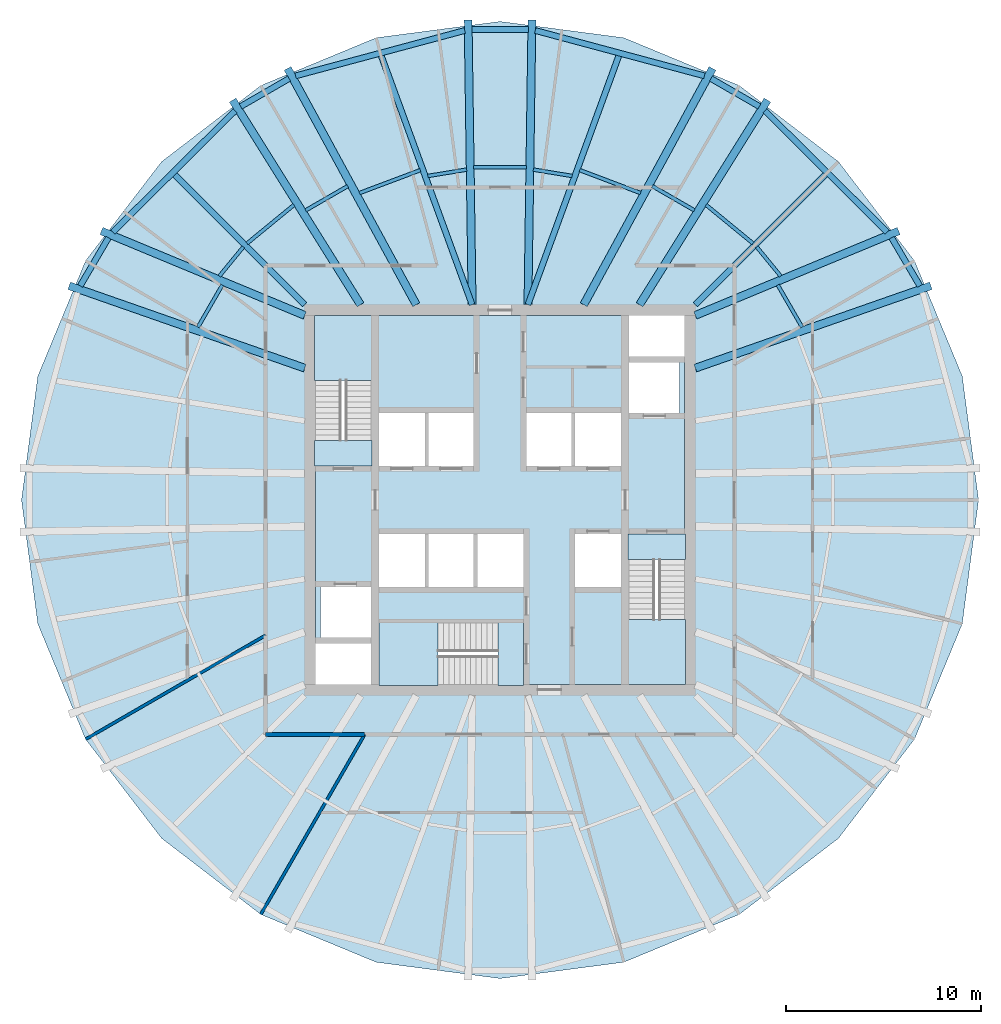
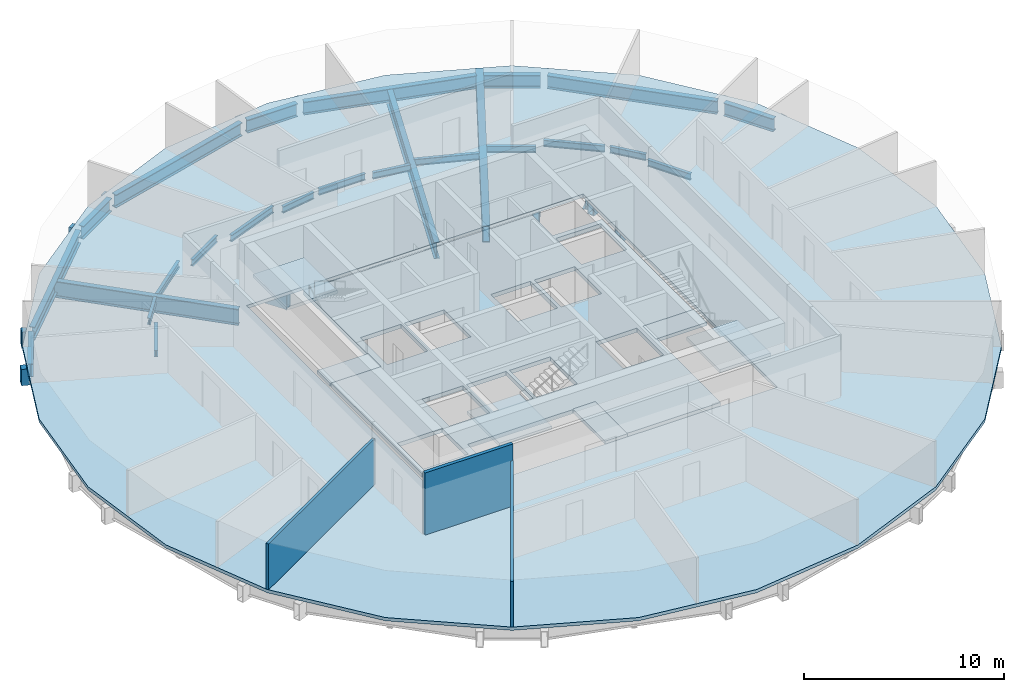
# One storey, part 2 of 6: 36 beams, 8 slabs, 3 walls, 3 elements without a shape of their own.
"""IFC4 building model written with IfcOpenShell, lengths in metres."""

import ifcopenshell
import ifcopenshell.guid

model = None  # the IFC model being written
_history = None  # IfcOwnerHistory: only IFC2X3 demands one
_inside = {}  # id of a spatial element -> (the spatial element, [elements in it])
_under = {}  # id of a project, library or spatial element -> (it, [spatial elements below it])
_declared = {}  # id of a project -> (the project, [libraries it declares])
_typed = {}  # id of a type object -> (the type object, [elements of that type])
_made_of = {}  # id of a material, layer set ... -> (it, [elements and type objects made of it])


def new_model(schema):
    """Start an empty IFC model of exactly this schema.

    Asked for "IFC4X3", IfcOpenShell would pick the latest addendum, in which some entities
    have other attributes; the version numbers below select the first issue.
    IFC2X3 requires an IfcOwnerHistory on every rooted entity: one is made here for all.
    """
    global model, _history
    if schema == "IFC4X3":
        model = ifcopenshell.file(schema_version=(4, 3, 0, 0))
    else:
        model = ifcopenshell.file(schema=schema)
    _inside.clear()
    _under.clear()
    _declared.clear()
    _typed.clear()
    _made_of.clear()
    _history = None
    if model.schema == "IFC2X3":
        org = make("IfcOrganization", Name="unknown")
        user = make(
            "IfcPersonAndOrganization",
            ThePerson=make("IfcPerson", FamilyName="unknown"),
            TheOrganization=org,
        )
        app = make(
            "IfcApplication",
            ApplicationDeveloper=org,
            Version="unknown",
            ApplicationFullName="unknown",
            ApplicationIdentifier="unknown",
        )
        _history = make(
            "IfcOwnerHistory",
            OwningUser=user,
            OwningApplication=app,
            ChangeAction="ADDED",
            CreationDate=0,
        )
    return model


def make(cls, **values):
    """One entity of the class cls with the attributes given. An attribute that is None is left unset."""
    return model.create_entity(
        cls, **{name: value for name, value in values.items() if value is not None}
    )


def rooted(cls, **values):
    """An entity with a GlobalId (a new one), such as an element, a storey or a relation."""
    return make(cls, GlobalId=ifcopenshell.guid.new(), OwnerHistory=_history, **values)


def si_unit(unit_type, name, prefix=None):
    """IfcSIUnit, for example si_unit("LENGTHUNIT", "METRE", prefix="MILLI")."""
    return make("IfcSIUnit", UnitType=unit_type, Prefix=prefix, Name=name)


def assignment(units):
    """IfcUnitAssignment: the units of a project."""
    return None if units is None else make("IfcUnitAssignment", Units=units)


def point(xyz):
    """IfcCartesianPoint."""
    return None if xyz is None else make("IfcCartesianPoint", Coordinates=xyz)


def direction(xyz):
    """IfcDirection."""
    return None if xyz is None else make("IfcDirection", DirectionRatios=xyz)


def frame(location, z_axis=None, x_axis=None):
    """IfcAxis2Placement3D, a coordinate frame: its origin and axes. An axis left out is left unset."""
    return make(
        "IfcAxis2Placement3D",
        Location=point(location),
        Axis=direction(z_axis),
        RefDirection=direction(x_axis),
    )


def frame_2d(location, x_axis=None):
    """IfcAxis2Placement2D, a coordinate frame in the plane: its origin and x axis."""
    return make(
        "IfcAxis2Placement2D", Location=point(location), RefDirection=direction(x_axis)
    )


def origin():
    """The frame at (0, 0, 0) with its axes left unset."""
    return frame((0.0, 0.0, 0.0))


def origin_2d():
    """The frame at (0, 0) in the plane with its x axis left unset."""
    return frame_2d((0.0, 0.0))


def place(relative_to, where):
    """IfcLocalPlacement: puts the frame where relative to a parent placement (None: the world)."""
    return make(
        "IfcLocalPlacement", PlacementRelTo=relative_to, RelativePlacement=where
    )


def context(
    kind, dimensions, precision=None, world=None, true_north=None, identifier=None
):
    """IfcGeometricRepresentationContext, for example the 3D "Model" context."""
    return make(
        "IfcGeometricRepresentationContext",
        ContextIdentifier=identifier,
        ContextType=kind,
        CoordinateSpaceDimension=dimensions,
        Precision=precision,
        WorldCoordinateSystem=world,
        TrueNorth=true_north,
    )


def subcontext(parent, identifier, kind, view, scale=None):
    """IfcGeometricRepresentationSubContext, for example "Body" below "Model"."""
    return make(
        "IfcGeometricRepresentationSubContext",
        ContextIdentifier=identifier,
        ContextType=kind,
        ParentContext=parent,
        TargetScale=scale,
        TargetView=view,
    )


def project(units=None, contexts=None):
    """IfcProject with its units and contexts."""
    return rooted(
        "IfcProject",
        Name="project",
        RepresentationContexts=contexts,
        UnitsInContext=assignment(units),
    )


def spatial(cls, under=None, at=None, **own):
    """A site, building, storey or space (cls), placed at a placement, below another one or the project."""
    s = rooted(cls, ObjectPlacement=at, **own)
    if under is not None:
        _under.setdefault(under.id(), (under, []))[1].append(s)
    return s


def polyline(points):
    """IfcPolyline through the points."""
    return make("IfcPolyline", Points=[point(p) for p in points])


def profile(cls, at=None, kind="AREA", **sizes):
    """A parametric profile (cls). Its sizes go by their IFC names, for example OverallWidth=200.0."""
    return make(cls, ProfileType=kind, Position=at, **sizes)


def rectangle(**sizes):
    """IfcRectangleProfileDef."""
    return profile("IfcRectangleProfileDef", **sizes)


def hollow_rectangle(**sizes):
    """IfcRectangleHollowProfileDef."""
    return profile("IfcRectangleHollowProfileDef", **sizes)


def i_section(**sizes):
    """IfcIShapeProfileDef."""
    return profile("IfcIShapeProfileDef", **sizes)


def outline(outer, holes=None, kind="AREA"):
    """IfcArbitraryClosedProfileDef: a profile drawn as a closed curve; with holes, ...WithVoids."""
    if holes is None:
        return make("IfcArbitraryClosedProfileDef", ProfileType=kind, OuterCurve=outer)
    return make(
        "IfcArbitraryProfileDefWithVoids",
        ProfileType=kind,
        OuterCurve=outer,
        InnerCurves=holes,
    )


def extrude(swept, where, along, depth):
    """IfcExtrudedAreaSolid: the profile swept, set in the frame where, extruded along a direction by depth."""
    return make(
        "IfcExtrudedAreaSolid",
        SweptArea=swept,
        Position=where,
        ExtrudedDirection=direction(along),
        Depth=depth,
    )


def shape(context_of_items, identifier, shape_type, items):
    """IfcShapeRepresentation: the items that make up one representation, for example the "Body"."""
    return make(
        "IfcShapeRepresentation",
        ContextOfItems=context_of_items,
        RepresentationIdentifier=identifier,
        RepresentationType=shape_type,
        Items=items,
    )


def material(Name=None, Category=None):
    """IfcMaterial."""
    return make("IfcMaterial", Name=Name, Category=Category)


def layer(
    of_material, thickness, ventilated=None, Name=None, Category=None, Priority=None
):
    """IfcMaterialLayer: one layer of a wall or slab, of a material (None: an air gap)."""
    return make(
        "IfcMaterialLayer",
        Material=of_material,
        LayerThickness=thickness,
        IsVentilated=ventilated,
        Name=Name,
        Category=Category,
        Priority=Priority,
    )


def layer_set(layers, Name=None):
    """IfcMaterialLayerSet."""
    return make("IfcMaterialLayerSet", MaterialLayers=layers, LayerSetName=Name)


def material_profile(
    of_material, cross_section, Name=None, Category=None, Priority=None
):
    """IfcMaterialProfile: a cross section and its material."""
    return make(
        "IfcMaterialProfile",
        Name=Name,
        Material=of_material,
        Profile=cross_section,
        Priority=Priority,
        Category=Category,
    )


def profile_set(profiles, Name=None, composite=None):
    """IfcMaterialProfileSet."""
    return make(
        "IfcMaterialProfileSet",
        Name=Name,
        MaterialProfiles=profiles,
        CompositeProfile=composite,
    )


def made_of(thing, what):
    """Note that an element or type object is made of a material, layer set ...; save() writes the relation."""
    if what is not None:
        _made_of.setdefault(what.id(), (what, []))[1].append(thing)
    return thing


def type_object(cls, material=None, **own):
    """A type object (cls), such as IfcWallType, which elements share."""
    return made_of(rooted(cls, **own), material)


def element(
    cls,
    number,
    at=None,
    inside=None,
    cuts=None,
    type_object=None,
    material=None,
    context=None,
    identifier="Body",
    shape_type=None,
    held_by="IfcProductDefinitionShape",
    body=None,
    shapes=None,
    **own,
):
    """One element of the class cls, such as IfcWall. Its Tag is "e" and its number.

    at: its placement. inside: the storey or other place that contains it. cuts: it is an
    opening in that element (IfcRelVoidsElement). A single representation is given by context,
    identifier, shape_type and body (its items); several are given by shapes. held_by: the class
    of the entity that holds the representations. save() writes the other relations.
    """
    e = rooted(cls, Tag="e%d" % number, ObjectPlacement=at, **own)
    if body is not None:
        shapes = [shape(context, identifier, shape_type, body)]
    if shapes is not None:
        e.Representation = make(held_by, Representations=shapes)
    if inside is not None:
        _inside.setdefault(inside.id(), (inside, []))[1].append(e)
    if cuts is not None:
        rooted(
            "IfcRelVoidsElement", RelatingBuildingElement=cuts, RelatedOpeningElement=e
        )
    if type_object is not None:
        _typed.setdefault(type_object.id(), (type_object, []))[1].append(e)
    return made_of(e, material)


def aggregate(whole, parts):
    """IfcRelAggregates: a whole, such as a stair, and the parts it consists of."""
    return rooted("IfcRelAggregates", RelatingObject=whole, RelatedObjects=parts)


def save(model, path):
    """Write the relations noted so far, then the file.

    IfcRelAggregates (storeys below a building ...), IfcRelContainedInSpatialStructure (elements
    in a storey), IfcRelDefinesByType, IfcRelAssociatesMaterial and IfcRelDeclares: one each for
    every whole, place, type object, material and project.
    """
    for whole, parts in _under.values():
        aggregate(whole, parts)
    for where, things in _inside.values():
        rooted(
            "IfcRelContainedInSpatialStructure",
            RelatedElements=things,
            RelatingStructure=where,
        )
    for kind, things in _typed.values():
        rooted("IfcRelDefinesByType", RelatedObjects=things, RelatingType=kind)
    for what, things in _made_of.values():
        rooted("IfcRelAssociatesMaterial", RelatedObjects=things, RelatingMaterial=what)
    for by, libraries in _declared.values():
        rooted("IfcRelDeclares", RelatingContext=by, RelatedDefinitions=libraries)
    model.write(path)


model = new_model("IFC4")

# Units and contexts
model_context = context("Model", 3, precision=1e-05, world=origin(), true_north=direction((0.0, 1.0)))
body_context = subcontext(model_context, "Body", "Model", "MODEL_VIEW")
ifc_project = project(units=[si_unit("LENGTHUNIT", "METRE"), si_unit("AREAUNIT", "SQUARE_METRE"), si_unit("VOLUMEUNIT", "CUBIC_METRE"), si_unit("PLANEANGLEUNIT", "RADIAN"), si_unit("MASSUNIT", "GRAM", prefix="KILO")], contexts=[model_context])

# Site, building, storey
site_placement = place(None, origin())
site = spatial("IfcSite", under=ifc_project, at=site_placement, CompositionType="ELEMENT")
building_placement = place(site_placement, origin())
building = spatial("IfcBuilding", under=site, at=building_placement, Name="Golbaran Civic Tower", CompositionType="ELEMENT")
storey_placement = place(building_placement, frame((0.0, 0.0, 114.0)))
storey = spatial("IfcBuildingStorey", under=building, at=storey_placement, Name="L27", CompositionType="ELEMENT", Elevation=114.0)

# Beams
ifc_material_1 = material(Name="Steel S355", Category="steel")
ifc_material_profile_1 = material_profile(ifc_material_1, i_section(OverallWidth=0.300048828125, OverallDepth=0.800048828125, WebThickness=0.017578125, FlangeThickness=0.032958984375, FilletRadius=0.030029296875, at=origin_2d()), Name="HEB 800")
ifc_profile_set_1 = profile_set([ifc_material_profile_1], Name="Steel S355")
beam_type_1 = type_object("IfcBeamType", Name="EDGE BEAM HEB 800", PredefinedType="BEAM", material=ifc_profile_set_1)
beam_1_placement = place(storey_placement, frame((21.492919921875, 10.96044921875, -0.60009765625), z_axis=(-0.506247507241, 0.862388231258, 0.0), x_axis=(-0.862388231258, -0.506247507241, 0.0)))
element("IfcBeam", 1, at=beam_1_placement, inside=storey, type_object=beam_type_1, Name="Edge beam 26.27 L27", PredefinedType="BEAM", context=body_context, shape_type="SweptSolid", body=[
    extrude(i_section(OverallWidth=0.300048828125, OverallDepth=0.800048828125, WebThickness=0.017578125, FlangeThickness=0.032958984375, FilletRadius=0.030029296875, at=origin_2d()), origin(), (0.0, 0.0, 1.0), 2.859375),
])
beam_2_placement = place(storey_placement, frame((19.81494140625, 13.72021484375, -0.60009765625), z_axis=(-0.709776097781, 0.704427349709, 0.0), x_axis=(-0.704427349709, -0.709776097781, 0.0)))
element("IfcBeam", 2, at=beam_2_placement, inside=storey, type_object=beam_type_1, Name="Edge beam 33.73 L27", PredefinedType="BEAM", context=body_context, shape_type="SweptSolid", body=[
    extrude(i_section(OverallWidth=0.300048828125, OverallDepth=0.800048828125, WebThickness=0.017578125, FlangeThickness=0.032958984375, FilletRadius=0.030029296875, at=origin_2d()), origin(), (0.0, 0.0, 1.0), 8.809326171875),
])
beam_3_placement = place(storey_placement, frame((13.275146484375, 20.145751953125, -0.60009765625), z_axis=(-0.866138668345, 0.49980376869, 0.0), x_axis=(-0.49980376869, -0.866138668345, 0.0)))
element("IfcBeam", 3, at=beam_3_placement, inside=storey, type_object=beam_type_1, Name="Edge beam 56.27 L27", PredefinedType="BEAM", context=body_context, shape_type="SweptSolid", body=[
    extrude(i_section(OverallWidth=0.300048828125, OverallDepth=0.800048828125, WebThickness=0.017578125, FlangeThickness=0.032958984375, FilletRadius=0.030029296875, at=origin_2d()), origin(), (0.0, 0.0, 1.0), 2.859130859375),
])
beam_4_placement = place(storey_placement, frame((10.4638671875, 21.712646484375, -0.60009765625), z_axis=(-0.965864614041, 0.259047384359, 0.0), x_axis=(-0.259047384359, -0.965864614041, 0.0)))
element("IfcBeam", 4, at=beam_4_placement, inside=storey, type_object=beam_type_1, Name="Edge beam 63.73 L27", PredefinedType="BEAM", context=body_context, shape_type="SweptSolid", body=[
    extrude(i_section(OverallWidth=0.300048828125, OverallDepth=0.800048828125, WebThickness=0.017578125, FlangeThickness=0.032958984375, FilletRadius=0.030029296875, at=origin_2d()), origin(), (0.0, 0.0, 1.0), 8.963623046875),
])
beam_5_placement = place(storey_placement, frame((1.44677734375, 24.082763671875, -0.60009765625), z_axis=(-1.0, 0.0, 0.0), x_axis=(0.0, -1.0, 0.0)))
element("IfcBeam", 5, at=beam_5_placement, inside=storey, type_object=beam_type_1, Name="Edge beam 86.27 L27", PredefinedType="BEAM", context=body_context, shape_type="SweptSolid", body=[
    extrude(i_section(OverallWidth=0.300048828125, OverallDepth=0.800048828125, WebThickness=0.017578125, FlangeThickness=0.032958984375, FilletRadius=0.030029296875, at=origin_2d()), origin(), (0.0, 0.0, 1.0), 2.8935546875),
])
beam_6_placement = place(storey_placement, frame((-1.80615234375, 24.03466796875, -0.60009765625), z_axis=(-0.965864614041, -0.259047384359, 0.0), x_axis=(0.259047384359, -0.965864614041, 0.0)))
element("IfcBeam", 6, at=beam_6_placement, inside=storey, type_object=beam_type_1, Name="Edge beam 93.73 L27", PredefinedType="BEAM", context=body_context, shape_type="SweptSolid", body=[
    extrude(i_section(OverallWidth=0.300048828125, OverallDepth=0.800048828125, WebThickness=0.017578125, FlangeThickness=0.032958984375, FilletRadius=0.030029296875, at=origin_2d()), origin(), (0.0, 0.0, 1.0), 8.963623046875),
])
beam_7_placement = place(storey_placement, frame((-10.798828125, 21.57470703125, -0.60009765625), z_axis=(-0.866138668345, -0.49980376869, 0.0), x_axis=(0.49980376869, -0.866138668345, 0.0)))
element("IfcBeam", 7, at=beam_7_placement, inside=storey, type_object=beam_type_1, Name="Edge beam 116.27 L27", PredefinedType="BEAM", context=body_context, shape_type="SweptSolid", body=[
    extrude(i_section(OverallWidth=0.300048828125, OverallDepth=0.800048828125, WebThickness=0.017578125, FlangeThickness=0.032958984375, FilletRadius=0.030029296875, at=origin_2d()), origin(), (0.0, 0.0, 1.0), 2.859130859375),
])
beam_8_placement = place(storey_placement, frame((-13.562255859375, 19.92578125, -0.60009765625), z_axis=(-0.709776097781, -0.704427349709, 0.0), x_axis=(0.704427349709, -0.709776097781, 0.0)))
element("IfcBeam", 8, at=beam_8_placement, inside=storey, type_object=beam_type_1, Name="Edge beam 123.73 L27", PredefinedType="BEAM", context=body_context, shape_type="SweptSolid", body=[
    extrude(i_section(OverallWidth=0.300048828125, OverallDepth=0.800048828125, WebThickness=0.017578125, FlangeThickness=0.032958984375, FilletRadius=0.030029296875, at=origin_2d()), origin(), (0.0, 0.0, 1.0), 8.809326171875),
])
beam_9_placement = place(storey_placement, frame((-20.04541015625, 13.42626953125, -0.60009765625), z_axis=(-0.506247507241, -0.862388231258, 0.0), x_axis=(0.862388231258, -0.506247507241, 0.0)))
element("IfcBeam", 9, at=beam_9_placement, inside=storey, type_object=beam_type_1, Name="Edge beam 146.27 L27", PredefinedType="BEAM", context=body_context, shape_type="SweptSolid", body=[
    extrude(i_section(OverallWidth=0.300048828125, OverallDepth=0.800048828125, WebThickness=0.017578125, FlangeThickness=0.032958984375, FilletRadius=0.030029296875, at=origin_2d()), origin(), (0.0, 0.0, 1.0), 2.859375),
])
ifc_material_profile_2 = material_profile(ifc_material_1, i_section(OverallWidth=0.179931640625, OverallDepth=0.39990234375, WebThickness=0.008544921875, FlangeThickness=0.013427734375, FilletRadius=0.02099609375, at=origin_2d()), Name="IPE 400")
ifc_profile_set_2 = profile_set([ifc_material_profile_2], Name="Steel S355")
beam_type_2 = type_object("IfcBeamType", Name="FLOOR INFILL BEAM IPE 400", PredefinedType="BEAM", material=ifc_profile_set_2)
beam_10_placement = place(storey_placement, frame((15.461669921875, 8.850830078125, -0.39990234375), z_axis=(-0.499968694491, 0.866043477274, 0.0), x_axis=(-0.866043477274, -0.499968694491, 0.0)))
element("IfcBeam", 10, at=beam_10_placement, inside=storey, type_object=beam_type_2, Name="Infill beam 30.00 L27", PredefinedType="BEAM", context=body_context, shape_type="SweptSolid", body=[
    extrude(i_section(OverallWidth=0.179931640625, OverallDepth=0.39990234375, WebThickness=0.008544921875, FlangeThickness=0.013427734375, FilletRadius=0.02099609375, at=origin_2d()), origin(), (0.0, 0.0, 1.0), 2.489013671875),
])
beam_11_placement = place(storey_placement, frame((14.36962890625, 11.459228515625, -0.39990234375), z_axis=(-0.634252882111, 0.773125657014, 0.0), x_axis=(-0.773125657014, -0.634252882111, 0.0)))
element("IfcBeam", 11, at=beam_11_placement, inside=storey, type_object=beam_type_2, Name="Infill beam 39.37 L27", PredefinedType="BEAM", context=body_context, shape_type="SweptSolid", body=[
    extrude(i_section(OverallWidth=0.179931640625, OverallDepth=0.39990234375, WebThickness=0.008544921875, FlangeThickness=0.013427734375, FilletRadius=0.02099609375, at=origin_2d()), origin(), (0.0, 0.0, 1.0), 1.937255859375),
])
beam_12_placement = place(storey_placement, frame((12.95068359375, 13.134521484375, -0.39990234375), z_axis=(-0.773099052003, 0.634285311033, 0.0), x_axis=(-0.634285311033, -0.773099052003, 0.0)))
element("IfcBeam", 12, at=beam_12_placement, inside=storey, type_object=beam_type_2, Name="Infill beam 50.63 L27", PredefinedType="BEAM", context=body_context, shape_type="SweptSolid", body=[
    extrude(i_section(OverallWidth=0.179931640625, OverallDepth=0.39990234375, WebThickness=0.008544921875, FlangeThickness=0.013427734375, FilletRadius=0.02099609375, at=origin_2d()), origin(), (0.0, 0.0, 1.0), 3.107666015625),
])
beam_13_placement = place(storey_placement, frame((9.94921875, 14.827392578125, -0.39990234375), z_axis=(-0.866044807862, 0.499966389646, 0.0), x_axis=(-0.499966389646, -0.866044807862, 0.0)))
element("IfcBeam", 13, at=beam_13_placement, inside=storey, type_object=beam_type_2, Name="Infill beam 60.00 L27", PredefinedType="BEAM", context=body_context, shape_type="SweptSolid", body=[
    extrude(i_section(OverallWidth=0.179931640625, OverallDepth=0.39990234375, WebThickness=0.008544921875, FlangeThickness=0.013427734375, FilletRadius=0.02099609375, at=origin_2d()), origin(), (0.0, 0.0, 1.0), 2.483642578125),
])
beam_14_placement = place(storey_placement, frame((7.194580078125, 15.713623046875, -0.39990234375), z_axis=(-0.935854854425, 0.352385714024, 0.0), x_axis=(-0.352385714024, -0.935854854425, 0.0)))
element("IfcBeam", 14, at=beam_14_placement, inside=storey, type_object=beam_type_2, Name="Infill beam 69.37 L27", PredefinedType="BEAM", context=body_context, shape_type="SweptSolid", body=[
    extrude(i_section(OverallWidth=0.179931640625, OverallDepth=0.39990234375, WebThickness=0.008544921875, FlangeThickness=0.013427734375, FilletRadius=0.02099609375, at=origin_2d()), origin(), (0.0, 0.0, 1.0), 3.326904296875),
])
beam_15_placement = place(storey_placement, frame((3.69482421875, 16.586181640625, -0.39990234375), z_axis=(-0.986661041804, 0.162788170904, 0.0), x_axis=(-0.162788170904, -0.986661041804, 0.0)))
element("IfcBeam", 15, at=beam_15_placement, inside=storey, type_object=beam_type_2, Name="Infill beam 80.63 L27", PredefinedType="BEAM", context=body_context, shape_type="SweptSolid", body=[
    extrude(i_section(OverallWidth=0.179931640625, OverallDepth=0.39990234375, WebThickness=0.008544921875, FlangeThickness=0.013427734375, FilletRadius=0.02099609375, at=origin_2d()), origin(), (0.0, 0.0, 1.0), 2.015625),
])
beam_16_placement = place(storey_placement, frame((1.34765625, 17.04150390625, -0.39990234375), z_axis=(-1.0, 0.0, 0.0), x_axis=(0.0, -1.0, 0.0)))
element("IfcBeam", 16, at=beam_16_placement, inside=storey, type_object=beam_type_2, Name="Infill beam 90.00 L27", PredefinedType="BEAM", context=body_context, shape_type="SweptSolid", body=[
    extrude(i_section(OverallWidth=0.179931640625, OverallDepth=0.39990234375, WebThickness=0.008544921875, FlangeThickness=0.013427734375, FilletRadius=0.02099609375, at=origin_2d()), origin(), (0.0, 0.0, 1.0), 2.6953125),
])
beam_17_placement = place(storey_placement, frame((-1.7060546875, 16.914306640625, -0.39990234375), z_axis=(-0.986661041804, -0.162788170904, 0.0), x_axis=(0.162788170904, -0.986661041804, 0.0)))
element("IfcBeam", 17, at=beam_17_placement, inside=storey, type_object=beam_type_2, Name="Infill beam 99.37 L27", PredefinedType="BEAM", context=body_context, shape_type="SweptSolid", body=[
    extrude(i_section(OverallWidth=0.179931640625, OverallDepth=0.39990234375, WebThickness=0.008544921875, FlangeThickness=0.013427734375, FilletRadius=0.02099609375, at=origin_2d()), origin(), (0.0, 0.0, 1.0), 2.015625),
])
beam_18_placement = place(storey_placement, frame((-4.0810546875, 16.885986328125, -0.39990234375), z_axis=(-0.935854854425, -0.352385714024, 0.0), x_axis=(0.352385714024, -0.935854854425, 0.0)))
element("IfcBeam", 18, at=beam_18_placement, inside=storey, type_object=beam_type_2, Name="Infill beam 110.63 L27", PredefinedType="BEAM", context=body_context, shape_type="SweptSolid", body=[
    extrude(i_section(OverallWidth=0.179931640625, OverallDepth=0.39990234375, WebThickness=0.008544921875, FlangeThickness=0.013427734375, FilletRadius=0.02099609375, at=origin_2d()), origin(), (0.0, 0.0, 1.0), 3.326904296875),
])
beam_19_placement = place(storey_placement, frame((-7.79833984375, 16.069091796875, -0.39990234375), z_axis=(-0.866044807862, -0.499966389646, 0.0), x_axis=(0.499966389646, -0.866044807862, 0.0)))
element("IfcBeam", 19, at=beam_19_placement, inside=storey, type_object=beam_type_2, Name="Infill beam 120.00 L27", PredefinedType="BEAM", context=body_context, shape_type="SweptSolid", body=[
    extrude(i_section(OverallWidth=0.179931640625, OverallDepth=0.39990234375, WebThickness=0.008544921875, FlangeThickness=0.013427734375, FilletRadius=0.02099609375, at=origin_2d()), origin(), (0.0, 0.0, 1.0), 2.483642578125),
])
beam_20_placement = place(storey_placement, frame((-10.548095703125, 15.105712890625, -0.39990234375), z_axis=(-0.773099052003, -0.634285311033, 0.0), x_axis=(0.634285311033, -0.773099052003, 0.0)))
element("IfcBeam", 20, at=beam_20_placement, inside=storey, type_object=beam_type_2, Name="Infill beam 129.37 L27", PredefinedType="BEAM", context=body_context, shape_type="SweptSolid", body=[
    extrude(i_section(OverallWidth=0.179931640625, OverallDepth=0.39990234375, WebThickness=0.008544921875, FlangeThickness=0.013427734375, FilletRadius=0.02099609375, at=origin_2d()), origin(), (0.0, 0.0, 1.0), 3.107666015625),
])
beam_21_placement = place(storey_placement, frame((-13.140869140625, 12.95703125, -0.39990234375), z_axis=(-0.634252882111, -0.773125657014, 0.0), x_axis=(0.773125657014, -0.634252882111, 0.0)))
element("IfcBeam", 21, at=beam_21_placement, inside=storey, type_object=beam_type_2, Name="Infill beam 140.63 L27", PredefinedType="BEAM", context=body_context, shape_type="SweptSolid", body=[
    extrude(i_section(OverallWidth=0.179931640625, OverallDepth=0.39990234375, WebThickness=0.008544921875, FlangeThickness=0.013427734375, FilletRadius=0.02099609375, at=origin_2d()), origin(), (0.0, 0.0, 1.0), 1.937255859375),
])
beam_22_placement = place(storey_placement, frame((-14.21728515625, 11.00634765625, -0.39990234375), z_axis=(-0.499968694491, -0.866043477274, 0.0), x_axis=(0.866043477274, -0.499968694491, 0.0)))
element("IfcBeam", 22, at=beam_22_placement, inside=storey, type_object=beam_type_2, Name="Infill beam 150.00 L27", PredefinedType="BEAM", context=body_context, shape_type="SweptSolid", body=[
    extrude(i_section(OverallWidth=0.179931640625, OverallDepth=0.39990234375, WebThickness=0.008544921875, FlangeThickness=0.013427734375, FilletRadius=0.02099609375, at=origin_2d()), origin(), (0.0, 0.0, 1.0), 2.489013671875),
])
ifc_material_profile_3 = material_profile(ifc_material_1, hollow_rectangle(XDim=0.39990234375, YDim=1.0, WallThickness=0.0400390625, at=origin_2d()), Name="BOX 1000x400x40")
ifc_profile_set_3 = profile_set([ifc_material_profile_3], Name="Steel S355")
beam_type_3 = type_object("IfcBeamType", Name="RADIAL FLOOR BEAM BOX 1000x400x40", PredefinedType="BEAM", material=ifc_profile_set_3)
beam_23_placement = place(storey_placement, frame((10.0, 6.75, -0.7099609375), z_axis=(0.943931648294, 0.330140944672, 0.0), x_axis=(-0.330140944672, 0.943931648294, 0.0)))
element("IfcBeam", 23, at=beam_23_placement, inside=storey, type_object=beam_type_3, Name="Radial beam 26.27 L27", PredefinedType="BEAM", context=body_context, shape_type="SweptSolid", body=[
    extrude(hollow_rectangle(XDim=0.39990234375, YDim=1.0, WallThickness=0.0400390625, at=origin_2d()), origin(), (0.0, 0.0, 1.0), 12.771240234375),
])
beam_24_placement = place(storey_placement, frame((10.0, 9.449951171875, -0.7099609375), z_axis=(0.9235454798, 0.383488913452, 0.0), x_axis=(-0.383488913452, 0.9235454798, 0.0)))
element("IfcBeam", 24, at=beam_24_placement, inside=storey, type_object=beam_type_3, Name="Radial beam 33.73 L27", PredefinedType="BEAM", context=body_context, shape_type="SweptSolid", body=[
    extrude(hollow_rectangle(XDim=0.39990234375, YDim=1.0, WallThickness=0.0400390625, at=origin_2d()), origin(), (0.0, 0.0, 1.0), 11.267822265625),
])
beam_25_placement = place(storey_placement, frame((7.142822265625, 10.0, -0.7099609375), z_axis=(0.53021220472, 0.847864976259, 0.0), x_axis=(-0.847864976259, 0.53021220472, 0.0)))
element("IfcBeam", 25, at=beam_25_placement, inside=storey, type_object=beam_type_3, Name="Radial beam 56.27 L27", PredefinedType="BEAM", context=body_context, shape_type="SweptSolid", body=[
    extrude(hollow_rectangle(XDim=0.39990234375, YDim=1.0, WallThickness=0.0400390625, at=origin_2d()), origin(), (0.0, 0.0, 1.0), 12.34716796875),
])
beam_26_placement = place(storey_placement, frame((4.28564453125, 10.0, -0.7099609375), z_axis=(0.478532881455, 0.878069633552, 0.0), x_axis=(-0.878069633552, 0.478532881455, 0.0)))
element("IfcBeam", 26, at=beam_26_placement, inside=storey, type_object=beam_type_3, Name="Radial beam 63.73 L27", PredefinedType="BEAM", context=body_context, shape_type="SweptSolid", body=[
    extrude(hollow_rectangle(XDim=0.39990234375, YDim=1.0, WallThickness=0.0400390625, at=origin_2d()), origin(), (0.0, 0.0, 1.0), 13.771484375),
])
for number, where, z_axis, x_axis, name in (
    (27, (1.428466796875, 10.0, -0.7099609375), (0.014091132285, 0.999900715067, 0.0), (-0.999900715067, 0.014091132285, 0.0), "Radial beam 86.27 L27"),
    (28, (-1.428466796875, 10.0, -0.7099609375), (-0.014091132285, 0.999900715067, 0.0), (-0.999900715067, -0.014091132285, 0.0), "Radial beam 93.73 L27"),
):
    element("IfcBeam", number, at=place(storey_placement, frame(where, z_axis=z_axis, x_axis=x_axis)), inside=storey, type_object=beam_type_3, Name=name, PredefinedType="BEAM", context=body_context, shape_type="SweptSolid", body=[
        extrude(hollow_rectangle(XDim=0.39990234375, YDim=1.0, WallThickness=0.0400390625, at=origin_2d()), origin(), (0.0, 0.0, 1.0), 14.571044921875),
    ])
beam_27_placement = place(storey_placement, frame((-4.28564453125, 10.0, -0.7099609375), z_axis=(-0.478532881455, 0.878069633552, 0.0), x_axis=(-0.878069633552, -0.478532881455, 0.0)))
element("IfcBeam", 29, at=beam_27_placement, inside=storey, type_object=beam_type_3, Name="Radial beam 116.27 L27", PredefinedType="BEAM", context=body_context, shape_type="SweptSolid", body=[
    extrude(hollow_rectangle(XDim=0.39990234375, YDim=1.0, WallThickness=0.0400390625, at=origin_2d()), origin(), (0.0, 0.0, 1.0), 13.771484375),
])
beam_28_placement = place(storey_placement, frame((-7.142822265625, 10.0, -0.7099609375), z_axis=(-0.53021220472, 0.847864976259, 0.0), x_axis=(-0.847864976259, -0.53021220472, 0.0)))
element("IfcBeam", 30, at=beam_28_placement, inside=storey, type_object=beam_type_3, Name="Radial beam 123.73 L27", PredefinedType="BEAM", context=body_context, shape_type="SweptSolid", body=[
    extrude(hollow_rectangle(XDim=0.39990234375, YDim=1.0, WallThickness=0.0400390625, at=origin_2d()), origin(), (0.0, 0.0, 1.0), 12.34716796875),
])
beam_29_placement = place(storey_placement, frame((-10.0, 9.449951171875, -0.7099609375), z_axis=(-0.9235454798, 0.383488913452, 0.0), x_axis=(-0.383488913452, -0.9235454798, 0.0)))
element("IfcBeam", 31, at=beam_29_placement, inside=storey, type_object=beam_type_3, Name="Radial beam 146.27 L27", PredefinedType="BEAM", context=body_context, shape_type="SweptSolid", body=[
    extrude(hollow_rectangle(XDim=0.39990234375, YDim=1.0, WallThickness=0.0400390625, at=origin_2d()), origin(), (0.0, 0.0, 1.0), 11.267822265625),
])
beam_30_placement = place(storey_placement, frame((-10.0, 6.75, -0.7099609375), z_axis=(-0.943931648294, 0.330140944672, 0.0), x_axis=(-0.330140944672, -0.943931648294, 0.0)))
element("IfcBeam", 32, at=beam_30_placement, inside=storey, type_object=beam_type_3, Name="Radial beam 153.73 L27", PredefinedType="BEAM", context=body_context, shape_type="SweptSolid", body=[
    extrude(hollow_rectangle(XDim=0.39990234375, YDim=1.0, WallThickness=0.0400390625, at=origin_2d()), origin(), (0.0, 0.0, 1.0), 12.771240234375),
])
ifc_material_profile_4 = material_profile(ifc_material_1, i_section(OverallWidth=0.300048828125, OverallDepth=1.0, WebThickness=0.01904296875, FlangeThickness=0.035888671875, FilletRadius=0.030029296875, at=origin_2d()), Name="HEB 1000")
ifc_profile_set_4 = profile_set([ifc_material_profile_4], Name="Steel S355")
beam_type_4 = type_object("IfcBeamType", Name="SECONDARY FLOOR BEAM HEB 1000", PredefinedType="BEAM", material=ifc_profile_set_4)
beam_31_placement = place(storey_placement, frame((10.0, 10.0, -0.7099609375), z_axis=(0.707106781187, 0.707106781187, 0.0), x_axis=(-0.707106781187, 0.707106781187, 0.0)))
element("IfcBeam", 33, at=beam_31_placement, inside=storey, type_object=beam_type_4, Name="Secondary beam 45.00 L27", PredefinedType="BEAM", context=body_context, shape_type="SweptSolid", body=[
    extrude(i_section(OverallWidth=0.300048828125, OverallDepth=1.0, WebThickness=0.01904296875, FlangeThickness=0.035888671875, FilletRadius=0.030029296875, at=origin_2d()), origin(), (0.0, 0.0, 1.0), 9.5546875),
])
for number, where, z_axis, x_axis, name in (
    (34, (1.428466796875, 10.0, -0.7099609375), (0.342968414201, 0.939346936366, 0.0), (-0.939346936366, 0.342968414201, 0.0), "Secondary beam 75.00 L27"),
    (35, (-1.428466796875, 10.0, -0.7099609375), (-0.342968414201, 0.939346936366, 0.0), (-0.939346936366, -0.342968414201, 0.0), "Secondary beam 105.00 L27"),
):
    element("IfcBeam", number, at=place(storey_placement, frame(where, z_axis=z_axis, x_axis=x_axis)), inside=storey, type_object=beam_type_4, Name=name, PredefinedType="BEAM", context=body_context, shape_type="SweptSolid", body=[
        extrude(i_section(OverallWidth=0.300048828125, OverallDepth=1.0, WebThickness=0.01904296875, FlangeThickness=0.035888671875, FilletRadius=0.030029296875, at=origin_2d()), origin(), (0.0, 0.0, 1.0), 13.70654296875),
    ])
beam_32_placement = place(storey_placement, frame((-10.0, 10.0, -0.7099609375), z_axis=(-0.707106781187, 0.707106781187, 0.0), x_axis=(-0.707106781187, -0.707106781187, 0.0)))
element("IfcBeam", 36, at=beam_32_placement, inside=storey, type_object=beam_type_4, Name="Secondary beam 135.00 L27", PredefinedType="BEAM", context=body_context, shape_type="SweptSolid", body=[
    extrude(i_section(OverallWidth=0.300048828125, OverallDepth=1.0, WebThickness=0.01904296875, FlangeThickness=0.035888671875, FilletRadius=0.030029296875, at=origin_2d()), origin(), (0.0, 0.0, 1.0), 9.5546875),
])

# Slabs
ifc_material_2 = material(Name="Concrete LC30/33 lightweight on steel deck", Category="concrete")
ifc_layer_1 = layer(ifc_material_2, 0.199951171875, Name="Concrete LC30/33 lightweight on steel deck")
ifc_layer_set_1 = layer_set([ifc_layer_1], Name="Concrete LC30/33 lightweight on steel deck")
slab_type_1 = type_object("IfcSlabType", Name="COMPOSITE FLOOR SLAB 200", PredefinedType="FLOOR", material=ifc_layer_set_1)
slab_1_placement = place(storey_placement, frame((0.0, 0.0, -0.199951171875)))
element("IfcSlab", 37, at=slab_1_placement, inside=storey, type_object=slab_type_1, Name="Floor slab L27", PredefinedType="FLOOR", context=body_context, shape_type="SweptSolid", body=[
    extrude(outline(polyline([(21.21533203125, -12.24853515625), (17.322265625, -17.322265625), (12.24853515625, -21.21533203125), (6.34033203125, -23.66259765625), (0.0, -24.497314453125), (-6.34033203125, -23.66259765625), (-12.24853515625, -21.21533203125), (-17.322265625, -17.322265625), (-21.21533203125, -12.24853515625), (-23.66259765625, -6.34033203125), (-24.497314453125, 0.0), (-23.66259765625, 6.34033203125), (-21.21533203125, 12.24853515625), (-17.322265625, 17.322265625), (-12.24853515625, 21.21533203125), (-6.34033203125, 23.66259765625), (0.0, 24.497314453125), (6.34033203125, 23.66259765625), (12.24853515625, 21.21533203125), (17.322265625, 17.322265625), (21.21533203125, 12.24853515625), (23.66259765625, 6.34033203125), (24.497314453125, 0.0), (23.66259765625, -6.34033203125), (21.21533203125, -12.24853515625)]), holes=[polyline([(-9.72509765625, 9.72509765625), (-9.72509765625, -9.72509765625), (9.72509765625, -9.72509765625), (9.72509765625, 9.72509765625), (-9.72509765625, 9.72509765625)])]), origin(), (0.0, 0.0, 1.0), 0.199951171875),
])
ifc_material_3 = material(Name="Concrete C35/45", Category="concrete")
ifc_layer_2 = layer(ifc_material_3, 0.25, Name="Concrete C35/45")
ifc_layer_set_2 = layer_set([ifc_layer_2], Name="Concrete C35/45")
slab_type_2 = type_object("IfcSlabType", Name="CORE FLOOR SLAB 250", PredefinedType="FLOOR", material=ifc_layer_set_2)
slab_2_placement = place(storey_placement, frame((0.0, 0.0, -0.25)))
element("IfcSlab", 38, at=slab_2_placement, inside=storey, type_object=slab_type_2, Name="Core floor slab L27", PredefinedType="FLOOR", context=body_context, shape_type="SweptSolid", body=[
    extrude(outline(polyline([(6.60009765625, -1.75), (6.60009765625, -9.449951171875), (1.199951171875, -9.449951171875), (1.199951171875, -6.300048828125), (-6.199951171875, -6.300048828125), (-6.199951171875, -9.449951171875), (-6.60009765625, -9.449951171875), (-6.60009765625, -7.35009765625), (-9.449951171875, -7.35009765625), (-9.449951171875, 1.75), (-6.60009765625, 1.75), (-6.60009765625, 9.449951171875), (6.60009765625, 9.449951171875), (6.60009765625, 7.35009765625), (9.449951171875, 7.35009765625), (9.449951171875, -1.75), (6.60009765625, -1.75)]), holes=[polyline([(9.199951171875, 7.050048828125), (6.60009765625, 7.050048828125), (6.60009765625, 4.449951171875), (9.199951171875, 4.449951171875), (9.199951171875, 7.050048828125)]), polyline([(6.199951171875, -1.75), (3.85009765625, -1.75), (3.85009765625, -4.449951171875), (6.199951171875, -4.449951171875), (6.199951171875, -1.75)]), polyline([(6.199951171875, 4.449951171875), (3.85009765625, 4.449951171875), (3.85009765625, 1.75), (6.199951171875, 1.75), (6.199951171875, 4.449951171875)]), polyline([(3.64990234375, 4.449951171875), (1.35009765625, 4.449951171875), (1.35009765625, 1.75), (3.64990234375, 1.75), (3.64990234375, 4.449951171875)]), polyline([(1.199951171875, -1.75), (-1.14990234375, -1.75), (-1.14990234375, -4.449951171875), (1.199951171875, -4.449951171875), (1.199951171875, -1.75)]), polyline([(-1.35009765625, 4.449951171875), (-3.64990234375, 4.449951171875), (-3.64990234375, 1.75), (-1.35009765625, 1.75), (-1.35009765625, 4.449951171875)]), polyline([(-1.35009765625, -1.75), (-3.64990234375, -1.75), (-3.64990234375, -4.449951171875), (-1.35009765625, -4.449951171875), (-1.35009765625, -1.75)]), polyline([(-3.85009765625, -1.75), (-6.199951171875, -1.75), (-6.199951171875, -4.449951171875), (-3.85009765625, -4.449951171875), (-3.85009765625, -1.75)]), polyline([(-3.85009765625, 4.449951171875), (-6.199951171875, 4.449951171875), (-6.199951171875, 1.75), (-3.85009765625, 1.75), (-3.85009765625, 4.449951171875)]), polyline([(-6.60009765625, -4.449951171875), (-9.199951171875, -4.449951171875), (-9.199951171875, -7.050048828125), (-6.60009765625, -7.050048828125), (-6.60009765625, -4.449951171875)])]), origin(), (0.0, 0.0, 1.0), 0.25),
])

# Stair, slab
stair_type_1 = type_object("IfcStairType", Name="EXIT STAIR 2850 x 7700, 4000 RISE", PredefinedType="HALF_TURN_STAIR", material=ifc_material_3)
stair_1_placement = place(storey_placement, origin())
stair_1 = element("IfcStair", 39, at=stair_1_placement, inside=storey, type_object=stair_type_1, Name="Stair S1 L27", PredefinedType="HALF_TURN_STAIR")
ifc_layer_3 = layer(ifc_material_3, 0.199951171875, Name="Concrete C35/45")
ifc_layer_set_3 = layer_set([ifc_layer_3], Name="Concrete C35/45")
slab_type_3 = type_object("IfcSlabType", Name="STAIR LANDING 200", PredefinedType="LANDING", material=ifc_layer_set_3)
slab_3_placement = place(storey_placement, frame((0.0, 0.0, 1.800048828125)))
slab_3 = element("IfcSlab", 40, at=slab_3_placement, type_object=slab_type_3, Name="ST28577-40 landing 1", PredefinedType="LANDING", context=body_context, shape_type="SweptSolid", body=[
    extrude(outline(polyline([(-9.5, 6.125), (-9.5, 9.449951171875), (-6.550048828125, 9.449951171875), (-6.550048828125, 6.125), (-9.5, 6.125)])), origin(), (0.0, 0.0, 1.0), 0.199951171875),
])
aggregate(stair_1, [slab_3])

# Slab
slab_4_placement = place(storey_placement, frame((0.0, 0.0, -0.199951171875)))
element("IfcSlab", 41, at=slab_4_placement, inside=storey, type_object=slab_type_3, Name="Stair S1 floor landing L27", PredefinedType="LANDING", context=body_context, shape_type="SweptSolid", body=[
    extrude(outline(polyline([(-9.5, 1.75), (-9.5, 3.054931640625), (-6.550048828125, 3.054931640625), (-6.550048828125, 1.75), (-9.5, 1.75)])), origin(), (0.0, 0.0, 1.0), 0.199951171875),
])

# Stair, slab
stair_2_placement = place(storey_placement, origin())
stair_2 = element("IfcStair", 42, at=stair_2_placement, inside=storey, type_object=stair_type_1, Name="Stair S2 L27", PredefinedType="HALF_TURN_STAIR")
slab_5_placement = place(storey_placement, frame((0.0, 0.0, 1.800048828125)))
slab_5 = element("IfcSlab", 43, at=slab_5_placement, type_object=slab_type_3, Name="ST28577-40 landing 1", PredefinedType="LANDING", context=body_context, shape_type="SweptSolid", body=[
    extrude(outline(polyline([(9.5, -6.125), (9.5, -9.449951171875), (6.550048828125, -9.449951171875), (6.550048828125, -6.125), (9.5, -6.125)])), origin(), (0.0, 0.0, 1.0), 0.199951171875),
])
aggregate(stair_2, [slab_5])

# Slab
slab_6_placement = place(storey_placement, frame((0.0, 0.0, -0.199951171875)))
element("IfcSlab", 44, at=slab_6_placement, inside=storey, type_object=slab_type_3, Name="Stair S2 floor landing L27", PredefinedType="LANDING", context=body_context, shape_type="SweptSolid", body=[
    extrude(outline(polyline([(9.5, -1.75), (9.5, -3.054931640625), (6.550048828125, -3.054931640625), (6.550048828125, -1.75), (9.5, -1.75)])), origin(), (0.0, 0.0, 1.0), 0.199951171875),
])

# Stair, slab
stair_type_2 = type_object("IfcStairType", Name="EXIT STAIR 3150 x 7400, 4000 RISE", PredefinedType="HALF_TURN_STAIR", material=ifc_material_3)
stair_3_placement = place(storey_placement, origin())
stair_3 = element("IfcStair", 45, at=stair_3_placement, inside=storey, type_object=stair_type_2, Name="Stair S3 L27", PredefinedType="HALF_TURN_STAIR")
slab_7_placement = place(storey_placement, frame((0.0, 0.0, 1.800048828125)))
slab_7 = element("IfcSlab", 46, at=slab_7_placement, type_object=slab_type_3, Name="ST31574-40 landing 1", PredefinedType="LANDING", context=body_context, shape_type="SweptSolid", body=[
    extrude(outline(polyline([(-3.175048828125, -9.5), (-6.199951171875, -9.5), (-6.199951171875, -6.25), (-3.175048828125, -6.25), (-3.175048828125, -9.5)])), origin(), (0.0, 0.0, 1.0), 0.199951171875),
])
aggregate(stair_3, [slab_7])

# Slab
slab_8_placement = place(storey_placement, frame((0.0, 0.0, -0.199951171875)))
element("IfcSlab", 47, at=slab_8_placement, inside=storey, type_object=slab_type_3, Name="Stair S3 floor landing L27", PredefinedType="LANDING", context=body_context, shape_type="SweptSolid", body=[
    extrude(outline(polyline([(1.199951171875, -9.5), (-0.10498046875, -9.5), (-0.10498046875, -6.25), (1.199951171875, -6.25), (1.199951171875, -9.5)])), origin(), (0.0, 0.0, 1.0), 0.199951171875),
])

# Walls
ifc_material_4 = material(Name="Gypsum board on steel studs, fire-rated", Category="steel")
ifc_layer_4 = layer(ifc_material_4, 0.199951171875, Name="Gypsum board on steel studs, fire-rated")
ifc_layer_set_4 = layer_set([ifc_layer_4], Name="Gypsum board on steel studs, fire-rated")
wall_type_1 = type_object("IfcWallType", Name="CORRIDOR WALL 200", PredefinedType="PARTITIONING", material=ifc_layer_set_4)
wall_placement = place(storey_placement, frame((-12.0, -12.0, 0.0), z_axis=(0.0, 0.0, 1.0), x_axis=(1.0, 0.0, 0.0)))
element("IfcWall", 48, at=wall_placement, inside=storey, type_object=wall_type_1, Name="Corridor wall L27", PredefinedType="PARTITIONING", context=body_context, shape_type="SweptSolid", body=[
    extrude(rectangle(XDim=5.07177734375, YDim=0.199951171875, at=frame_2d((2.535888671875, 0.0))), origin(), (0.0, 0.0, 1.0), 3.800048828125),
])
ifc_material_5 = material(Name="Gypsum board on steel studs", Category="steel")
ifc_layer_5 = layer(ifc_material_5, 0.14990234375, Name="Gypsum board on steel studs")
ifc_layer_set_5 = layer_set([ifc_layer_5], Name="Gypsum board on steel studs")
wall_type_2 = type_object("IfcWallType", Name="OFFICE PARTITION 150", PredefinedType="PARTITIONING", material=ifc_layer_set_5)
for number, where, z_axis, x_axis, name in (
    (49, (-12.0, -6.92822265625, 0.0), (0.0, 0.0, 1.0), (-0.866024197053, -0.500002090115, 0.0), "Partition 210 L27"),
    (50, (-6.92822265625, -12.0, 0.0), (0.0, 0.0, 1.0), (-0.500002090115, -0.866024197053, 0.0), "Partition 240 L27"),
):
    element("IfcWall", number, at=place(storey_placement, frame(where, z_axis=z_axis, x_axis=x_axis)), inside=storey, type_object=wall_type_2, Name=name, PredefinedType="PARTITIONING", context=body_context, shape_type="SweptSolid", body=[
        extrude(rectangle(XDim=10.630859375, YDim=0.14990234375, at=frame_2d((5.3154296875, 0.0))), origin(), (0.0, 0.0, 1.0), 2.7900390625),
    ])

save(model, "model.ifc")
